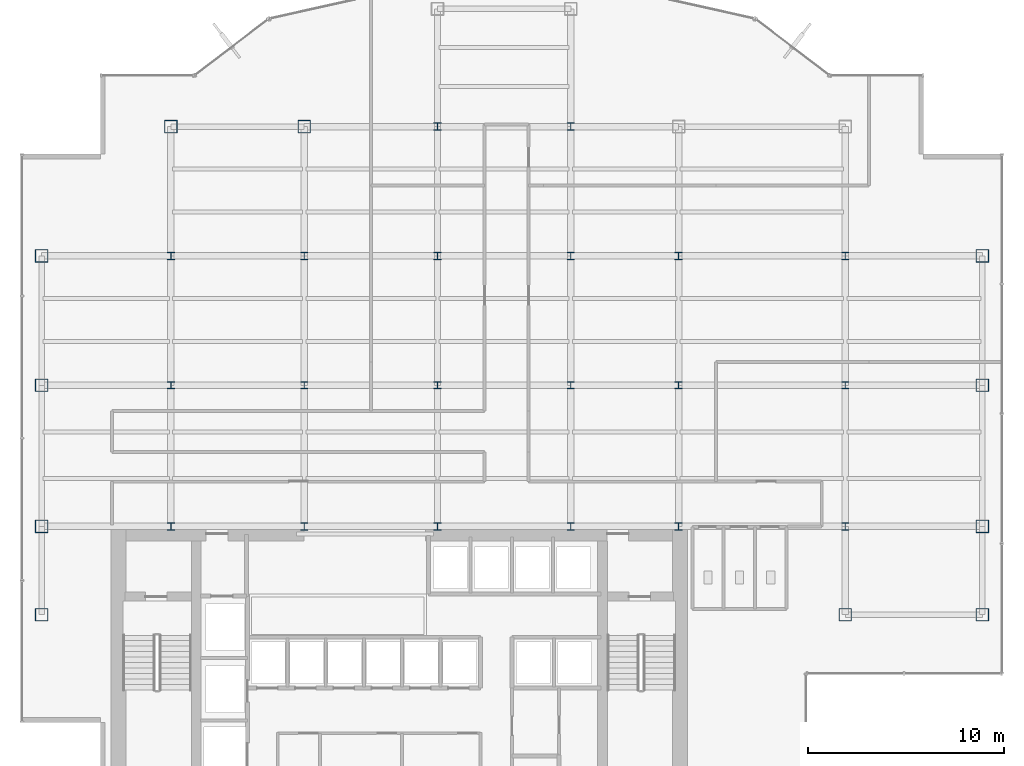
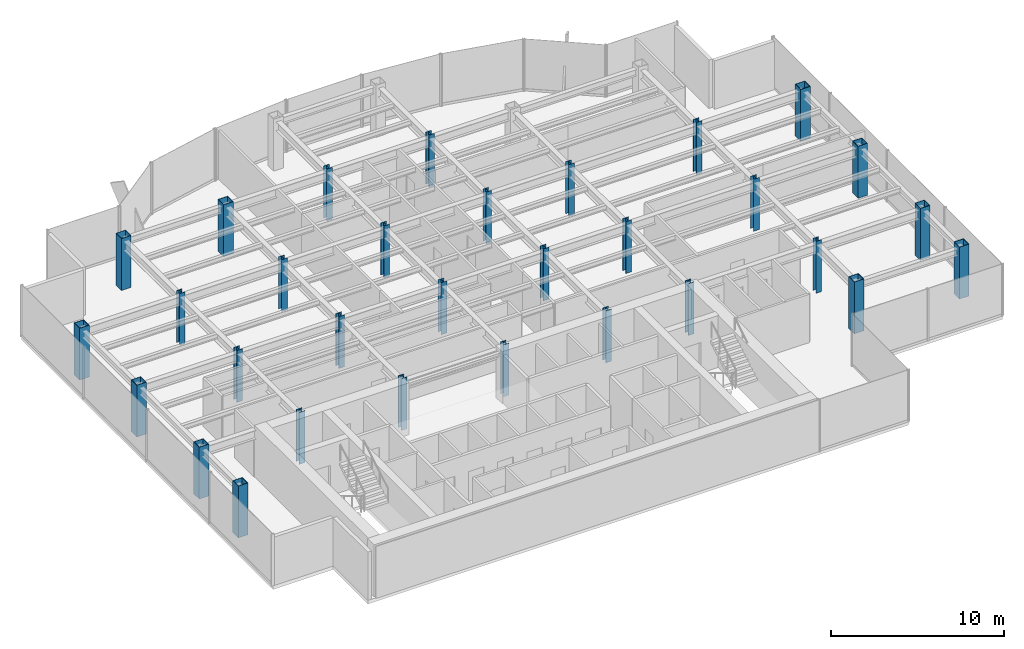
# One storey, part 1 of 25: 31 columns.
"""IFC4 building model written with IfcOpenShell, lengths in metres."""

from ifc_helpers import new_model, si_unit, derived_unit, direction, frame, origin, origin_2d, place, context, subcontext, project, spatial, hollow_rectangle, i_section, extrude, source, transform, mapped, material, material_profile, profile_set, type_object, element, save


model = new_model("IFC4")

# Units and contexts
model_context = context("Model", 3, precision=1e-05, world=origin(), true_north=direction((0.0, 1.0)))
body_context = subcontext(model_context, "Body", "Model", "MODEL_VIEW")
ifc_project = project(units=[si_unit("LENGTHUNIT", "METRE"), si_unit("AREAUNIT", "SQUARE_METRE"), si_unit("VOLUMEUNIT", "CUBIC_METRE"), si_unit("PLANEANGLEUNIT", "RADIAN"), si_unit("MASSUNIT", "GRAM", prefix="KILO"), derived_unit("THERMALTRANSMITTANCEUNIT", [(si_unit("POWERUNIT", "WATT"), 1), (si_unit("LENGTHUNIT", "METRE"), -2), (si_unit("THERMODYNAMICTEMPERATUREUNIT", "KELVIN"), -1)])], contexts=[model_context])

# Site, building, storey
site_placement = place(None, origin())
site = spatial("IfcSite", under=ifc_project, at=site_placement, CompositionType="ELEMENT")
building_placement = place(site_placement, origin())
building = spatial("IfcBuilding", under=site, at=building_placement, Name="Skarnbrae Concourse Arena and Tower", CompositionType="ELEMENT")
storey_placement = place(building_placement, frame((0.0, 0.0, 162.5)))
storey = spatial("IfcBuildingStorey", under=building, at=storey_placement, Name="L41", CompositionType="ELEMENT", Elevation=162.5)

# Columns
ifc_material = material(Name="Steel CSA G40.21 350W", Category="steel")
ifc_material_profile_1 = material_profile(ifc_material, hollow_rectangle(XDim=0.64990234375, YDim=0.64990234375, WallThickness=0.031982421875, at=origin_2d()), Name="BOX650X650X32")
ifc_profile_set_1 = profile_set([ifc_material_profile_1], Name="Steel CSA G40.21 350W")
column_type_1 = type_object("IfcColumnType", Name="COL-TUBE-BOX650", PredefinedType="COLUMN", material=ifc_profile_set_1)
shared_shape_1 = source(origin(), body_context, "Body", "SweptSolid", [
    extrude(hollow_rectangle(XDim=0.64990234375, YDim=0.64990234375, WallThickness=0.031982421875, at=origin_2d()), origin(), (0.0, 0.0, 1.0), 3.64990234375),
])
for number, where, z_axis, x_axis, name in (
    (1, (1.0, 9.5, 0.0), (0.0, 0.0, 1.0), (1.0, 0.0, 0.0), "L41 Tower column PC_01_01"),
    (2, (1.0, 14.0, 0.0), (0.0, 0.0, 1.0), (1.0, 0.0, 0.0), "L41 Tower column PC_01_02"),
    (3, (1.0, 21.199951171875, 0.0), (0.0, 0.0, 1.0), (1.0, 0.0, 0.0), "L41 Tower column PC_01_03"),
    (4, (1.0, 27.800048828125, 0.0), (0.0, 0.0, 1.0), (1.0, 0.0, 0.0), "L41 Tower column PC_01_04"),
    (5, (7.60009765625, 34.39990234375, 0.0), (0.0, 0.0, 1.0), (1.0, 0.0, 0.0), "L41 Tower column PC_02_05"),
    (6, (14.39990234375, 34.39990234375, 0.0), (0.0, 0.0, 1.0), (1.0, 0.0, 0.0), "L41 Tower column PC_03_05"),
    (7, (42.0, 9.5, 0.0), (0.0, 0.0, 1.0), (1.0, 0.0, 0.0), "L41 Tower column PC_07_01"),
    (8, (49.0, 9.5, 0.0), (0.0, 0.0, 1.0), (1.0, 0.0, 0.0), "L41 Tower column PC_08_01"),
    (9, (49.0, 14.0, 0.0), (0.0, 0.0, 1.0), (1.0, 0.0, 0.0), "L41 Tower column PC_08_02"),
    (10, (49.0, 21.199951171875, 0.0), (0.0, 0.0, 1.0), (1.0, 0.0, 0.0), "L41 Tower column PC_08_03"),
    (11, (49.0, 27.800048828125, 0.0), (0.0, 0.0, 1.0), (1.0, 0.0, 0.0), "L41 Tower column PC_08_04"),
):
    element("IfcColumn", number, at=place(storey_placement, frame(where, z_axis=z_axis, x_axis=x_axis)), inside=storey, type_object=column_type_1, Name=name, PredefinedType="COLUMN", context=body_context, shape_type="MappedRepresentation", body=[
        mapped(shared_shape_1, transform((0.0, 0.0, 0.0))),
    ])
ifc_material_profile_2 = material_profile(ifc_material, i_section(OverallWidth=0.3740234375, OverallDepth=0.3720703125, WebThickness=0.016357421875, FlangeThickness=0.026123046875, at=origin_2d()), Name="W360X196")
ifc_profile_set_2 = profile_set([ifc_material_profile_2], Name="Steel CSA G40.21 350W")
column_type_2 = type_object("IfcColumnType", Name="COL-INT-W360X196", PredefinedType="COLUMN", material=ifc_profile_set_2)
shared_shape_2 = source(origin(), body_context, "Body", "SweptSolid", [
    extrude(i_section(OverallWidth=0.3740234375, OverallDepth=0.3720703125, WebThickness=0.016357421875, FlangeThickness=0.026123046875, at=origin_2d()), origin(), (0.0, 0.0, 1.0), 3.64990234375),
])
for number, where, z_axis, x_axis, name in (
    (12, (7.60009765625, 14.0, 0.0), (0.0, 0.0, 1.0), (1.0, 0.0, 0.0), "L41 Tower column IC_02_02"),
    (13, (7.60009765625, 21.199951171875, 0.0), (0.0, 0.0, 1.0), (1.0, 0.0, 0.0), "L41 Tower column IC_02_03"),
    (14, (7.60009765625, 27.800048828125, 0.0), (0.0, 0.0, 1.0), (1.0, 0.0, 0.0), "L41 Tower column IC_02_04"),
    (15, (14.39990234375, 14.0, 0.0), (0.0, 0.0, 1.0), (1.0, 0.0, 0.0), "L41 Tower column IC_03_02"),
    (16, (14.39990234375, 21.199951171875, 0.0), (0.0, 0.0, 1.0), (1.0, 0.0, 0.0), "L41 Tower column IC_03_03"),
    (17, (14.39990234375, 27.800048828125, 0.0), (0.0, 0.0, 1.0), (1.0, 0.0, 0.0), "L41 Tower column IC_03_04"),
    (18, (21.199951171875, 14.0, 0.0), (0.0, 0.0, 1.0), (1.0, 0.0, 0.0), "L41 Tower column IC_04_02"),
    (19, (21.199951171875, 21.199951171875, 0.0), (0.0, 0.0, 1.0), (1.0, 0.0, 0.0), "L41 Tower column IC_04_03"),
    (20, (21.199951171875, 27.800048828125, 0.0), (0.0, 0.0, 1.0), (1.0, 0.0, 0.0), "L41 Tower column IC_04_04"),
    (21, (21.199951171875, 34.39990234375, 0.0), (0.0, 0.0, 1.0), (1.0, 0.0, 0.0), "L41 Tower column IC_04_05"),
    (22, (28.0, 14.0, 0.0), (0.0, 0.0, 1.0), (1.0, 0.0, 0.0), "L41 Tower column IC_05_02"),
    (23, (28.0, 21.199951171875, 0.0), (0.0, 0.0, 1.0), (1.0, 0.0, 0.0), "L41 Tower column IC_05_03"),
    (24, (28.0, 27.800048828125, 0.0), (0.0, 0.0, 1.0), (1.0, 0.0, 0.0), "L41 Tower column IC_05_04"),
    (25, (28.0, 34.39990234375, 0.0), (0.0, 0.0, 1.0), (1.0, 0.0, 0.0), "L41 Tower column IC_05_05"),
    (26, (33.5, 14.0, 0.0), (0.0, 0.0, 1.0), (1.0, 0.0, 0.0), "L41 Tower column IC_06_02"),
    (27, (33.5, 21.199951171875, 0.0), (0.0, 0.0, 1.0), (1.0, 0.0, 0.0), "L41 Tower column IC_06_03"),
    (28, (33.5, 27.800048828125, 0.0), (0.0, 0.0, 1.0), (1.0, 0.0, 0.0), "L41 Tower column IC_06_04"),
    (29, (42.0, 14.0, 0.0), (0.0, 0.0, 1.0), (1.0, 0.0, 0.0), "L41 Tower column IC_07_02"),
    (30, (42.0, 21.199951171875, 0.0), (0.0, 0.0, 1.0), (1.0, 0.0, 0.0), "L41 Tower column IC_07_03"),
    (31, (42.0, 27.800048828125, 0.0), (0.0, 0.0, 1.0), (1.0, 0.0, 0.0), "L41 Tower column IC_07_04"),
):
    element("IfcColumn", number, at=place(storey_placement, frame(where, z_axis=z_axis, x_axis=x_axis)), inside=storey, type_object=column_type_2, Name=name, PredefinedType="COLUMN", context=body_context, shape_type="MappedRepresentation", body=[
        mapped(shared_shape_2, transform((0.0, 0.0, 0.0))),
    ])

save(model, "model.ifc")
